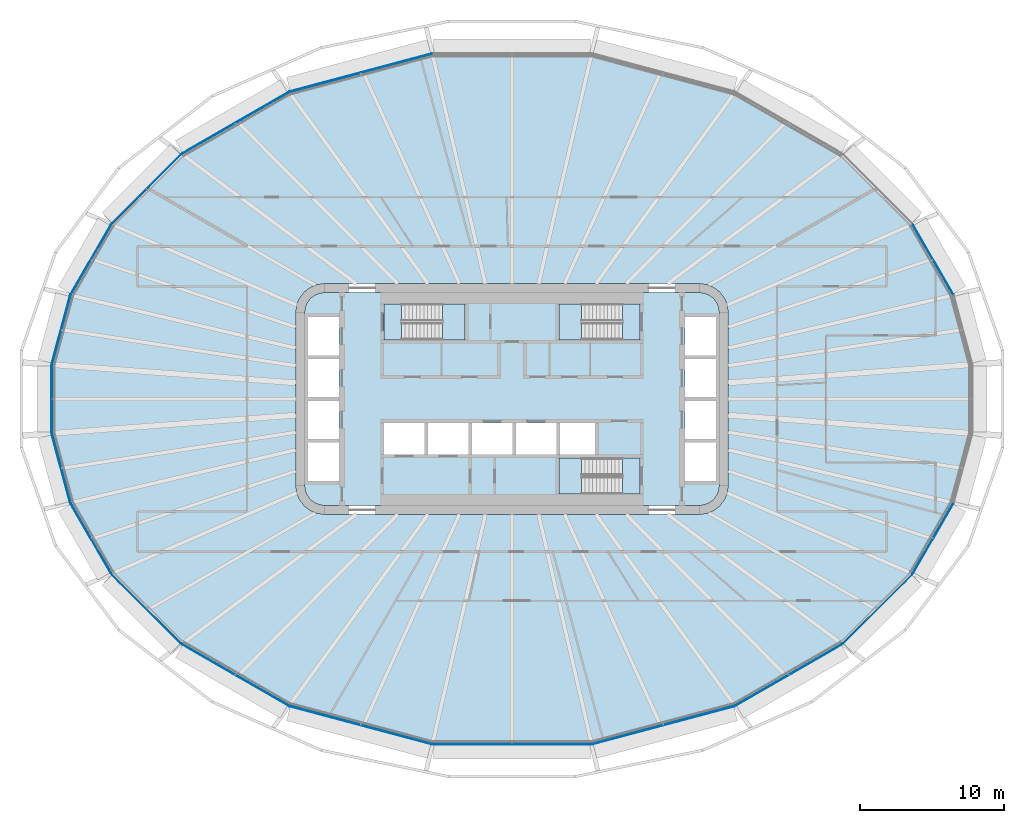
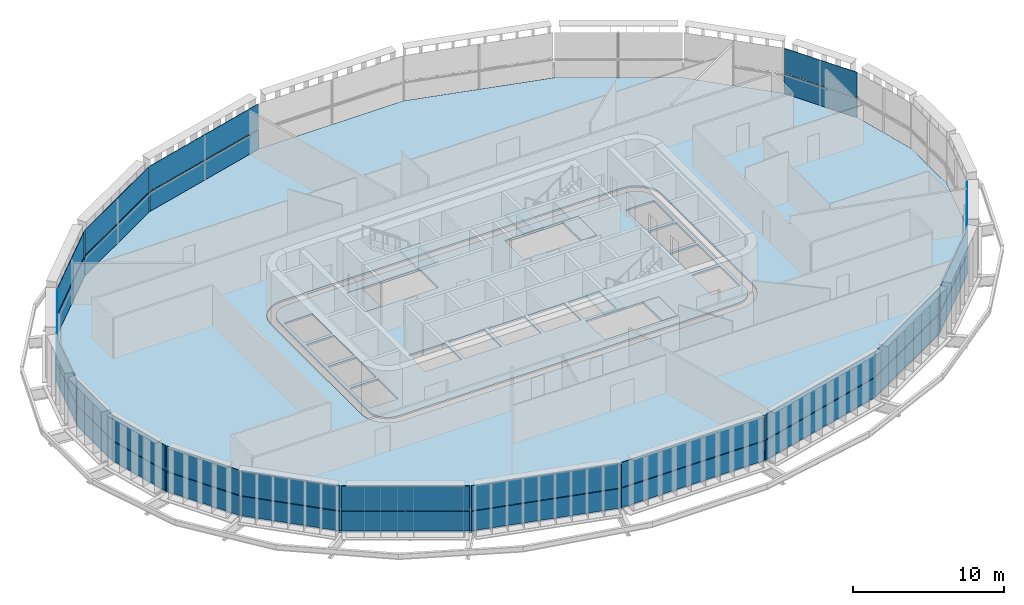
# One storey, part 13 of 25: 34 plates, 8 slabs, 20 elements without a shape of their own.
"""IFC4 building model written with IfcOpenShell, lengths in metres."""

import ifcopenshell
import ifcopenshell.guid

model = None  # the IFC model being written
_history = None  # IfcOwnerHistory: only IFC2X3 demands one
_inside = {}  # id of a spatial element -> (the spatial element, [elements in it])
_under = {}  # id of a project, library or spatial element -> (it, [spatial elements below it])
_declared = {}  # id of a project -> (the project, [libraries it declares])
_typed = {}  # id of a type object -> (the type object, [elements of that type])
_made_of = {}  # id of a material, layer set ... -> (it, [elements and type objects made of it])


def new_model(schema):
    """Start an empty IFC model of exactly this schema.

    Asked for "IFC4X3", IfcOpenShell would pick the latest addendum, in which some entities
    have other attributes; the version numbers below select the first issue.
    IFC2X3 requires an IfcOwnerHistory on every rooted entity: one is made here for all.
    """
    global model, _history
    if schema == "IFC4X3":
        model = ifcopenshell.file(schema_version=(4, 3, 0, 0))
    else:
        model = ifcopenshell.file(schema=schema)
    _inside.clear()
    _under.clear()
    _declared.clear()
    _typed.clear()
    _made_of.clear()
    _history = None
    if model.schema == "IFC2X3":
        org = make("IfcOrganization", Name="unknown")
        user = make(
            "IfcPersonAndOrganization",
            ThePerson=make("IfcPerson", FamilyName="unknown"),
            TheOrganization=org,
        )
        app = make(
            "IfcApplication",
            ApplicationDeveloper=org,
            Version="unknown",
            ApplicationFullName="unknown",
            ApplicationIdentifier="unknown",
        )
        _history = make(
            "IfcOwnerHistory",
            OwningUser=user,
            OwningApplication=app,
            ChangeAction="ADDED",
            CreationDate=0,
        )
    return model


def make(cls, **values):
    """One entity of the class cls with the attributes given. An attribute that is None is left unset."""
    return model.create_entity(
        cls, **{name: value for name, value in values.items() if value is not None}
    )


def rooted(cls, **values):
    """An entity with a GlobalId (a new one), such as an element, a storey or a relation."""
    return make(cls, GlobalId=ifcopenshell.guid.new(), OwnerHistory=_history, **values)


def si_unit(unit_type, name, prefix=None):
    """IfcSIUnit, for example si_unit("LENGTHUNIT", "METRE", prefix="MILLI")."""
    return make("IfcSIUnit", UnitType=unit_type, Prefix=prefix, Name=name)


def assignment(units):
    """IfcUnitAssignment: the units of a project."""
    return None if units is None else make("IfcUnitAssignment", Units=units)


def point(xyz):
    """IfcCartesianPoint."""
    return None if xyz is None else make("IfcCartesianPoint", Coordinates=xyz)


def direction(xyz):
    """IfcDirection."""
    return None if xyz is None else make("IfcDirection", DirectionRatios=xyz)


def frame(location, z_axis=None, x_axis=None):
    """IfcAxis2Placement3D, a coordinate frame: its origin and axes. An axis left out is left unset."""
    return make(
        "IfcAxis2Placement3D",
        Location=point(location),
        Axis=direction(z_axis),
        RefDirection=direction(x_axis),
    )


def origin():
    """The frame at (0, 0, 0) with its axes left unset."""
    return frame((0.0, 0.0, 0.0))


def place(relative_to, where):
    """IfcLocalPlacement: puts the frame where relative to a parent placement (None: the world)."""
    return make(
        "IfcLocalPlacement", PlacementRelTo=relative_to, RelativePlacement=where
    )


def context(
    kind, dimensions, precision=None, world=None, true_north=None, identifier=None
):
    """IfcGeometricRepresentationContext, for example the 3D "Model" context."""
    return make(
        "IfcGeometricRepresentationContext",
        ContextIdentifier=identifier,
        ContextType=kind,
        CoordinateSpaceDimension=dimensions,
        Precision=precision,
        WorldCoordinateSystem=world,
        TrueNorth=true_north,
    )


def subcontext(parent, identifier, kind, view, scale=None):
    """IfcGeometricRepresentationSubContext, for example "Body" below "Model"."""
    return make(
        "IfcGeometricRepresentationSubContext",
        ContextIdentifier=identifier,
        ContextType=kind,
        ParentContext=parent,
        TargetScale=scale,
        TargetView=view,
    )


def project(units=None, contexts=None):
    """IfcProject with its units and contexts."""
    return rooted(
        "IfcProject",
        Name="project",
        RepresentationContexts=contexts,
        UnitsInContext=assignment(units),
    )


def spatial(cls, under=None, at=None, **own):
    """A site, building, storey or space (cls), placed at a placement, below another one or the project."""
    s = rooted(cls, ObjectPlacement=at, **own)
    if under is not None:
        _under.setdefault(under.id(), (under, []))[1].append(s)
    return s


def polyline(points):
    """IfcPolyline through the points."""
    return make("IfcPolyline", Points=[point(p) for p in points])


def outline(outer, holes=None, kind="AREA"):
    """IfcArbitraryClosedProfileDef: a profile drawn as a closed curve; with holes, ...WithVoids."""
    if holes is None:
        return make("IfcArbitraryClosedProfileDef", ProfileType=kind, OuterCurve=outer)
    return make(
        "IfcArbitraryProfileDefWithVoids",
        ProfileType=kind,
        OuterCurve=outer,
        InnerCurves=holes,
    )


def extrude(swept, where, along, depth):
    """IfcExtrudedAreaSolid: the profile swept, set in the frame where, extruded along a direction by depth."""
    return make(
        "IfcExtrudedAreaSolid",
        SweptArea=swept,
        Position=where,
        ExtrudedDirection=direction(along),
        Depth=depth,
    )


def shape(context_of_items, identifier, shape_type, items):
    """IfcShapeRepresentation: the items that make up one representation, for example the "Body"."""
    return make(
        "IfcShapeRepresentation",
        ContextOfItems=context_of_items,
        RepresentationIdentifier=identifier,
        RepresentationType=shape_type,
        Items=items,
    )


def material(Name=None, Category=None):
    """IfcMaterial."""
    return make("IfcMaterial", Name=Name, Category=Category)


def layer(
    of_material, thickness, ventilated=None, Name=None, Category=None, Priority=None
):
    """IfcMaterialLayer: one layer of a wall or slab, of a material (None: an air gap)."""
    return make(
        "IfcMaterialLayer",
        Material=of_material,
        LayerThickness=thickness,
        IsVentilated=ventilated,
        Name=Name,
        Category=Category,
        Priority=Priority,
    )


def layer_set(layers, Name=None):
    """IfcMaterialLayerSet."""
    return make("IfcMaterialLayerSet", MaterialLayers=layers, LayerSetName=Name)


def made_of(thing, what):
    """Note that an element or type object is made of a material, layer set ...; save() writes the relation."""
    if what is not None:
        _made_of.setdefault(what.id(), (what, []))[1].append(thing)
    return thing


def type_object(cls, material=None, **own):
    """A type object (cls), such as IfcWallType, which elements share."""
    return made_of(rooted(cls, **own), material)


def element(
    cls,
    number,
    at=None,
    inside=None,
    cuts=None,
    type_object=None,
    material=None,
    context=None,
    identifier="Body",
    shape_type=None,
    held_by="IfcProductDefinitionShape",
    body=None,
    shapes=None,
    **own,
):
    """One element of the class cls, such as IfcWall. Its Tag is "e" and its number.

    at: its placement. inside: the storey or other place that contains it. cuts: it is an
    opening in that element (IfcRelVoidsElement). A single representation is given by context,
    identifier, shape_type and body (its items); several are given by shapes. held_by: the class
    of the entity that holds the representations. save() writes the other relations.
    """
    e = rooted(cls, Tag="e%d" % number, ObjectPlacement=at, **own)
    if body is not None:
        shapes = [shape(context, identifier, shape_type, body)]
    if shapes is not None:
        e.Representation = make(held_by, Representations=shapes)
    if inside is not None:
        _inside.setdefault(inside.id(), (inside, []))[1].append(e)
    if cuts is not None:
        rooted(
            "IfcRelVoidsElement", RelatingBuildingElement=cuts, RelatedOpeningElement=e
        )
    if type_object is not None:
        _typed.setdefault(type_object.id(), (type_object, []))[1].append(e)
    return made_of(e, material)


def aggregate(whole, parts):
    """IfcRelAggregates: a whole, such as a stair, and the parts it consists of."""
    return rooted("IfcRelAggregates", RelatingObject=whole, RelatedObjects=parts)


def save(model, path):
    """Write the relations noted so far, then the file.

    IfcRelAggregates (storeys below a building ...), IfcRelContainedInSpatialStructure (elements
    in a storey), IfcRelDefinesByType, IfcRelAssociatesMaterial and IfcRelDeclares: one each for
    every whole, place, type object, material and project.
    """
    for whole, parts in _under.values():
        aggregate(whole, parts)
    for where, things in _inside.values():
        rooted(
            "IfcRelContainedInSpatialStructure",
            RelatedElements=things,
            RelatingStructure=where,
        )
    for kind, things in _typed.values():
        rooted("IfcRelDefinesByType", RelatedObjects=things, RelatingType=kind)
    for what, things in _made_of.values():
        rooted("IfcRelAssociatesMaterial", RelatedObjects=things, RelatingMaterial=what)
    for by, libraries in _declared.values():
        rooted("IfcRelDeclares", RelatingContext=by, RelatedDefinitions=libraries)
    model.write(path)


model = new_model("IFC4")

# Units and contexts
model_context = context("Model", 3, precision=1e-05, world=origin(), true_north=direction((0.0, 1.0)))
body_context = subcontext(model_context, "Body", "Model", "MODEL_VIEW")
ifc_project = project(units=[si_unit("LENGTHUNIT", "METRE"), si_unit("AREAUNIT", "SQUARE_METRE"), si_unit("VOLUMEUNIT", "CUBIC_METRE"), si_unit("PLANEANGLEUNIT", "RADIAN"), si_unit("MASSUNIT", "GRAM", prefix="KILO")], contexts=[model_context])

# Site, building, storey
site_placement = place(None, origin())
site = spatial("IfcSite", under=ifc_project, at=site_placement, CompositionType="ELEMENT")
building_placement = place(site_placement, origin())
building = spatial("IfcBuilding", under=site, at=building_placement, Name="Sahrelin Media Tower", CompositionType="ELEMENT")
storey_placement = place(building_placement, frame((0.0, 0.0, 106.199951171875)))
storey = spatial("IfcBuildingStorey", under=building, at=storey_placement, Name="L20", CompositionType="ELEMENT", Elevation=106.199951171875)

# Slabs
ifc_material_1 = material(Name="Concrete C40/50", Category="concrete")
ifc_layer_1 = layer(ifc_material_1, 0.14990234375)
ifc_layer_set_1 = layer_set([ifc_layer_1], Name="Composite floor slab 150")
slab_type_1 = type_object("IfcSlabType", Name="Composite floor slab 150", PredefinedType="FLOOR", material=ifc_layer_set_1)
placement_1 = place(storey_placement, frame((0.0, 0.0, -0.14990234375)))
element("IfcSlab", 1, at=placement_1, inside=storey, type_object=slab_type_1, Name="Floor slab L20", PredefinedType="FLOOR", context=body_context, shape_type="SweptSolid", body=[
    extrude(outline(polyline([(31.92431640625, -2.384521484375), (31.92431640625, 2.384521484375), (30.63330078125, 7.20263671875), (27.79541015625, 12.117919921875), (22.919189453125, 16.994384765625), (15.475830078125, 21.291748046875), (5.5283203125, 23.95703125), (-5.5283203125, 23.95703125), (-15.475830078125, 21.291748046875), (-22.919189453125, 16.994384765625), (-27.79541015625, 12.117919921875), (-30.63330078125, 7.20263671875), (-31.92431640625, 2.384521484375), (-31.92431640625, -2.384521484375), (-30.63330078125, -7.20263671875), (-27.79541015625, -12.117919921875), (-22.919189453125, -16.994384765625), (-15.475830078125, -21.291748046875), (-5.5283203125, -23.95703125), (5.5283203125, -23.95703125), (15.475830078125, -21.291748046875), (22.919189453125, -16.994384765625), (27.79541015625, -12.117919921875), (30.63330078125, -7.20263671875), (31.92431640625, -2.384521484375)]), holes=[polyline([(14.931884765625, 6.517578125), (15.0, 6.0), (15.0, -6.0), (14.931884765625, -6.517578125), (14.732177734375, -7.0), (14.414306640625, -7.414306640625), (14.0, -7.732177734375), (13.517578125, -7.931884765625), (13.0, -8.0), (-13.0, -8.0), (-13.517578125, -7.931884765625), (-14.0, -7.732177734375), (-14.414306640625, -7.414306640625), (-14.732177734375, -7.0), (-14.931884765625, -6.517578125), (-15.0, -6.0), (-15.0, 6.0), (-14.931884765625, 6.517578125), (-14.732177734375, 7.0), (-14.414306640625, 7.414306640625), (-14.0, 7.732177734375), (-13.517578125, 7.931884765625), (-13.0, 8.0), (13.0, 8.0), (13.517578125, 7.931884765625), (14.0, 7.732177734375), (14.414306640625, 7.414306640625), (14.732177734375, 7.0), (14.931884765625, 6.517578125)])]), origin(), (0.0, 0.0, 1.0), 0.14990234375),
])
ifc_layer_2 = layer(ifc_material_1, 0.14990234375)
ifc_layer_set_2 = layer_set([ifc_layer_2], Name="Core floor slab 150")
slab_type_2 = type_object("IfcSlabType", Name="Core floor slab 150", PredefinedType="FLOOR", material=ifc_layer_set_2)
element("IfcSlab", 2, at=placement_1, inside=storey, type_object=slab_type_2, Name="Core floor", PredefinedType="FLOOR", context=body_context, shape_type="SweptSolid", body=[
    extrude(outline(polyline([(-14.347412109375, 6.361083984375), (-14.39990234375, 5.960693359375), (-14.39990234375, -5.960693359375), (-14.347412109375, -6.361083984375), (-14.2080078125, -6.697509765625), (-13.986328125, -6.986328125), (-13.697509765625, -7.2080078125), (-13.361083984375, -7.347412109375), (-12.960693359375, -7.39990234375), (12.960693359375, -7.39990234375), (13.361083984375, -7.347412109375), (13.697509765625, -7.2080078125), (13.986328125, -6.986328125), (14.2080078125, -6.697509765625), (14.347412109375, -6.361083984375), (14.39990234375, -5.960693359375), (14.39990234375, 5.960693359375), (14.347412109375, 6.361083984375), (14.2080078125, 6.697509765625), (13.986328125, 6.986328125), (13.697509765625, 7.2080078125), (13.361083984375, 7.347412109375), (12.960693359375, 7.39990234375), (-12.960693359375, 7.39990234375), (-13.361083984375, 7.347412109375), (-13.697509765625, 7.2080078125), (-13.986328125, 6.986328125), (-14.2080078125, 6.697509765625), (-14.347412109375, 6.361083984375)]), holes=[polyline([(-12.0, 3.02490234375), (-12.0, 5.675048828125), (-14.14990234375, 5.675048828125), (-14.14990234375, 3.02490234375), (-12.0, 3.02490234375)]), polyline([(-14.14990234375, 0.125), (-12.0, 0.125), (-12.0, 2.77490234375), (-14.14990234375, 2.77490234375), (-14.14990234375, 0.125)]), polyline([(-14.14990234375, -0.125), (-14.14990234375, -2.77490234375), (-12.0, -2.77490234375), (-12.0, -0.125), (-14.14990234375, -0.125)]), polyline([(-12.0, -3.02490234375), (-14.14990234375, -3.02490234375), (-14.14990234375, -5.675048828125), (-12.0, -5.675048828125), (-12.0, -3.02490234375)]), polyline([(14.14990234375, 3.02490234375), (14.14990234375, 5.675048828125), (12.0, 5.675048828125), (12.0, 3.02490234375), (14.14990234375, 3.02490234375)]), polyline([(12.0, 0.125), (14.14990234375, 0.125), (14.14990234375, 2.77490234375), (12.0, 2.77490234375), (12.0, 0.125)]), polyline([(12.0, -0.125), (12.0, -2.77490234375), (14.14990234375, -2.77490234375), (14.14990234375, -0.125), (12.0, -0.125)]), polyline([(14.14990234375, -3.02490234375), (12.0, -3.02490234375), (12.0, -5.675048828125), (14.14990234375, -5.675048828125), (14.14990234375, -3.02490234375)]), polyline([(-6.074951171875, -3.85009765625), (-6.074951171875, -1.64990234375), (-8.875, -1.64990234375), (-8.875, -3.85009765625), (-6.074951171875, -3.85009765625)]), polyline([(-5.824951171875, -3.85009765625), (-3.02490234375, -3.85009765625), (-3.02490234375, -1.64990234375), (-5.824951171875, -1.64990234375), (-5.824951171875, -3.85009765625)]), polyline([(-2.77490234375, -1.64990234375), (-2.77490234375, -3.85009765625), (0.02490234375, -3.85009765625), (0.02490234375, -1.64990234375), (-2.77490234375, -1.64990234375)]), polyline([(3.074951171875, -1.64990234375), (0.27490234375, -1.64990234375), (0.27490234375, -3.85009765625), (3.074951171875, -3.85009765625), (3.074951171875, -1.64990234375)]), polyline([(5.77490234375, -3.85009765625), (5.77490234375, -1.64990234375), (3.324951171875, -1.64990234375), (3.324951171875, -3.85009765625), (5.77490234375, -3.85009765625)]), polyline([(-8.875, 6.60009765625), (-8.875, 4.10009765625), (-3.27490234375, 4.10009765625), (-3.27490234375, 6.60009765625), (-8.875, 6.60009765625)]), polyline([(3.27490234375, 4.10009765625), (8.875, 4.10009765625), (8.875, 6.60009765625), (3.27490234375, 6.60009765625), (3.27490234375, 4.10009765625)]), polyline([(3.27490234375, -4.10009765625), (3.27490234375, -6.60009765625), (8.875, -6.60009765625), (8.875, -4.10009765625), (3.27490234375, -4.10009765625)])]), origin(), (0.0, 0.0, 1.0), 0.14990234375),
])

# Curtain wall, plate
ifc_material_2 = material(Name="Champagne anodised aluminium 6063-T6", Category="aluminium")
ifc_layer_3 = layer(ifc_material_2, 0.14990234375)
ifc_layer_set_3 = layer_set([ifc_layer_3], Name="Tower ribbon curtain wall")
curtain_wall_type = type_object("IfcCurtainWallType", Name="Tower ribbon curtain wall", PredefinedType="NOTDEFINED", material=ifc_layer_set_3)
curtain_wall_1_placement = place(storey_placement, frame((29.231689453125, 9.67041015625, 0.0), z_axis=(0.0, 0.0, 1.0), x_axis=(1.0, 0.0, 0.0)))
curtain_wall_1 = element("IfcCurtainWall", 3, at=curtain_wall_1_placement, inside=storey, type_object=curtain_wall_type, Name="L20:CW:L20-02", PredefinedType="NOTDEFINED")
ifc_material_3 = material(Name="Clear low-iron glazing", Category="glass")
ifc_layer_4 = layer(ifc_material_3, 0.0400390625)
ifc_layer_set_4 = layer_set([ifc_layer_4], Name="Glazing panel 40 mm CW1")
plate_type_1 = type_object("IfcPlateType", Name="Glazing panel 40 mm CW1", PredefinedType="CURTAIN_PANEL", material=ifc_layer_set_4)
plate_1_placement = place(storey_placement, frame((30.644287109375, 7.263671875, 1.630126953125), z_axis=(0.866021677438, 0.500006454166, 0.0), x_axis=(-0.500006454166, 0.866021677438, 0.0)))
plate_1 = element("IfcPlate", 4, at=plate_1_placement, type_object=plate_type_1, Name="L20:CWP2:L20-02", PredefinedType="CURTAIN_PANEL", context=body_context, shape_type="SweptSolid", body=[
    extrude(outline(polyline([(0.0, 0.0), (5.5810546875, 0.0), (5.5810546875, 2.0185546875), (0.0, 2.0185546875), (0.0, 0.0)])), origin(), (0.0, 0.0, -1.0), 0.0400390625),
])

curtain_wall_2_placement = place(storey_placement, frame((-10.507080078125, 22.643798828125, 0.0), z_axis=(0.0, 0.0, 1.0), x_axis=(1.0, 0.0, 0.0)))
curtain_wall_2 = element("IfcCurtainWall", 5, at=curtain_wall_2_placement, inside=storey, type_object=curtain_wall_type, Name="L20:CW:L20-07", PredefinedType="NOTDEFINED")
plate_2_placement = place(storey_placement, frame((-5.58447265625, 23.9833984375, 1.630126953125), z_axis=(-0.258816614048, 0.965926477685, 0.0), x_axis=(-0.965926477685, -0.258816614048, 0.0)))
plate_2 = element("IfcPlate", 6, at=plate_2_placement, type_object=plate_type_1, Name="L20:CWP2:L20-07", PredefinedType="CURTAIN_PANEL", context=body_context, shape_type="SweptSolid", body=[
    extrude(outline(polyline([(0.0, 0.0), (10.20361328125, 0.0), (10.20361328125, 2.0185546875), (0.0, 2.0185546875), (0.0, 0.0)])), origin(), (0.0, 0.0, -1.0), 0.0400390625),
])

curtain_wall_3_placement = place(storey_placement, frame((-19.20751953125, 19.160400390625, 0.0), z_axis=(0.0, 0.0, 1.0), x_axis=(1.0, 0.0, 0.0)))
curtain_wall_3 = element("IfcCurtainWall", 7, at=curtain_wall_3_placement, inside=storey, type_object=curtain_wall_type, Name="L20:CW:L20-08", PredefinedType="NOTDEFINED")
plate_3_placement = place(storey_placement, frame((-15.536865234375, 21.302490234375, 1.630126953125), z_axis=(-0.499994284652, 0.866028703517, 0.0), x_axis=(-0.866028703517, -0.499994284652, 0.0)))
plate_3 = element("IfcPlate", 8, at=plate_3_placement, type_object=plate_type_1, Name="L20:CWP2:L20-08", PredefinedType="CURTAIN_PANEL", context=body_context, shape_type="SweptSolid", body=[
    extrude(outline(polyline([(0.0, 0.0), (8.5, 0.0), (8.5, 2.0185546875), (0.0, 2.0185546875), (0.0, 0.0)])), origin(), (0.0, 0.0, -1.0), 0.0400390625),
])

curtain_wall_4_placement = place(storey_placement, frame((-25.371337890625, 14.5703125, 0.0), z_axis=(0.0, 0.0, 1.0), x_axis=(1.0, 0.0, 0.0)))
curtain_wall_4 = element("IfcCurtainWall", 9, at=curtain_wall_4_placement, inside=storey, type_object=curtain_wall_type, Name="L20:CW:L20-09", PredefinedType="NOTDEFINED")
plate_4_placement = place(storey_placement, frame((-22.98095703125, 16.989013671875, 1.630126953125), z_axis=(-0.707106781187, 0.707106781187, 0.0), x_axis=(-0.707106781187, -0.707106781187, 0.0)))
plate_4 = element("IfcPlate", 10, at=plate_4_placement, type_object=plate_type_1, Name="L20:CWP2:L20-09", PredefinedType="CURTAIN_PANEL", context=body_context, shape_type="SweptSolid", body=[
    extrude(outline(polyline([(0.0, 0.0), (6.801513671875, 0.0), (6.801513671875, 2.0185546875), (0.0, 2.0185546875), (0.0, 0.0)])), origin(), (0.0, 0.0, -1.0), 0.0400390625),
])

curtain_wall_5_placement = place(storey_placement, frame((-29.231689453125, 9.67041015625, 0.0), z_axis=(0.0, 0.0, 1.0), x_axis=(1.0, 0.0, 0.0)))
curtain_wall_5 = element("IfcCurtainWall", 11, at=curtain_wall_5_placement, inside=storey, type_object=curtain_wall_type, Name="L20:CW:L20-10", PredefinedType="NOTDEFINED")
plate_5_placement = place(storey_placement, frame((-27.853759765625, 12.096923828125, 1.630126953125), z_axis=(-0.866021677438, 0.500006454166, 0.0), x_axis=(-0.500006454166, -0.866021677438, 0.0)))
plate_5 = element("IfcPlate", 12, at=plate_5_placement, type_object=plate_type_1, Name="L20:CWP2:L20-10", PredefinedType="CURTAIN_PANEL", context=body_context, shape_type="SweptSolid", body=[
    extrude(outline(polyline([(0.0, 0.0), (5.5810546875, 0.0), (5.5810546875, 2.0185546875), (0.0, 2.0185546875), (0.0, 0.0)])), origin(), (0.0, 0.0, -1.0), 0.0400390625),
])

curtain_wall_6_placement = place(storey_placement, frame((-31.298095703125, 4.798583984375, 0.0), z_axis=(0.0, 0.0, 1.0), x_axis=(1.0, 0.0, 0.0)))
curtain_wall_6 = element("IfcCurtainWall", 13, at=curtain_wall_6_placement, inside=storey, type_object=curtain_wall_type, Name="L20:CW:L20-11", PredefinedType="NOTDEFINED")
plate_6_placement = place(storey_placement, frame((-30.684326171875, 7.167236328125, 1.630126953125), z_axis=(-0.965932017326, 0.258795938733, 0.0), x_axis=(-0.258795938733, -0.965932017326, 0.0)))
plate_6 = element("IfcPlate", 14, at=plate_6_placement, type_object=plate_type_1, Name="L20:CWP2:L20-11", PredefinedType="CURTAIN_PANEL", context=body_context, shape_type="SweptSolid", body=[
    extrude(outline(polyline([(0.0, 0.0), (4.893310546875, 0.0), (4.893310546875, 2.0185546875), (0.0, 2.0185546875), (0.0, 0.0)])), origin(), (0.0, 0.0, -1.0), 0.0400390625),
])

curtain_wall_7_placement = place(storey_placement, frame((-31.9443359375, 0.0, 0.0), z_axis=(0.0, 0.0, 1.0), x_axis=(1.0, 0.0, 0.0)))
curtain_wall_7 = element("IfcCurtainWall", 15, at=curtain_wall_7_placement, inside=storey, type_object=curtain_wall_type, Name="L20:CW:L20-12", PredefinedType="NOTDEFINED")
plate_7_placement = place(storey_placement, frame((-31.96435546875, 2.337158203125, 1.630126953125), z_axis=(-1.0, 0.0, 0.0), x_axis=(0.0, -1.0, 0.0)))
plate_7 = element("IfcPlate", 16, at=plate_7_placement, type_object=plate_type_1, Name="L20:CWP2:L20-12", PredefinedType="CURTAIN_PANEL", context=body_context, shape_type="SweptSolid", body=[
    extrude(outline(polyline([(0.0, 0.0), (4.67431640625, 0.0), (4.67431640625, 2.0185546875), (0.0, 2.0185546875), (0.0, 0.0)])), origin(), (0.0, 0.0, -1.0), 0.0400390625),
])

curtain_wall_8_placement = place(storey_placement, frame((-31.298095703125, -4.798828125, 0.0), z_axis=(0.0, 0.0, 1.0), x_axis=(1.0, 0.0, 0.0)))
curtain_wall_8 = element("IfcCurtainWall", 17, at=curtain_wall_8_placement, inside=storey, type_object=curtain_wall_type, Name="L20:CW:L20-13", PredefinedType="NOTDEFINED")
plate_8_placement = place(storey_placement, frame((-31.95068359375, -2.440673828125, 1.630126953125), z_axis=(-0.965932017326, -0.258795938733, 0.0), x_axis=(0.258795938733, -0.965932017326, 0.0)))
plate_8 = element("IfcPlate", 18, at=plate_8_placement, type_object=plate_type_1, Name="L20:CWP2:L20-13", PredefinedType="CURTAIN_PANEL", context=body_context, shape_type="SweptSolid", body=[
    extrude(outline(polyline([(0.0, 0.0), (4.893310546875, 0.0), (4.893310546875, 2.0185546875), (0.0, 2.0185546875), (0.0, 0.0)])), origin(), (0.0, 0.0, -1.0), 0.0400390625),
])

curtain_wall_9_placement = place(storey_placement, frame((-29.231689453125, -9.67041015625, 0.0), z_axis=(0.0, 0.0, 1.0), x_axis=(1.0, 0.0, 0.0)))
curtain_wall_9 = element("IfcCurtainWall", 19, at=curtain_wall_9_placement, inside=storey, type_object=curtain_wall_type, Name="L20:CW:L20-14", PredefinedType="NOTDEFINED")
plate_9_placement = place(storey_placement, frame((-30.644287109375, -7.263671875, 1.630126953125), z_axis=(-0.866021677438, -0.500006454166, 0.0), x_axis=(0.500006454166, -0.866021677438, 0.0)))
plate_9 = element("IfcPlate", 20, at=plate_9_placement, type_object=plate_type_1, Name="L20:CWP2:L20-14", PredefinedType="CURTAIN_PANEL", context=body_context, shape_type="SweptSolid", body=[
    extrude(outline(polyline([(0.0, 0.0), (5.5810546875, 0.0), (5.5810546875, 2.0185546875), (0.0, 2.0185546875), (0.0, 0.0)])), origin(), (0.0, 0.0, -1.0), 0.0400390625),
])

curtain_wall_10_placement = place(storey_placement, frame((-25.371337890625, -14.5703125, 0.0), z_axis=(0.0, 0.0, 1.0), x_axis=(1.0, 0.0, 0.0)))
curtain_wall_10 = element("IfcCurtainWall", 21, at=curtain_wall_10_placement, inside=storey, type_object=curtain_wall_type, Name="L20:CW:L20-15", PredefinedType="NOTDEFINED")
plate_10_placement = place(storey_placement, frame((-27.790283203125, -12.1796875, 1.630126953125), z_axis=(-0.707106781187, -0.707106781187, 0.0), x_axis=(0.707106781187, -0.707106781187, 0.0)))
plate_10 = element("IfcPlate", 22, at=plate_10_placement, type_object=plate_type_1, Name="L20:CWP2:L20-15", PredefinedType="CURTAIN_PANEL", context=body_context, shape_type="SweptSolid", body=[
    extrude(outline(polyline([(0.0, 0.0), (6.801513671875, 0.0), (6.801513671875, 2.0185546875), (0.0, 2.0185546875), (0.0, 0.0)])), origin(), (0.0, 0.0, -1.0), 0.0400390625),
])

curtain_wall_11_placement = place(storey_placement, frame((-19.20751953125, -19.160400390625, 0.0), z_axis=(0.0, 0.0, 1.0), x_axis=(1.0, 0.0, 0.0)))
curtain_wall_11 = element("IfcCurtainWall", 23, at=curtain_wall_11_placement, inside=storey, type_object=curtain_wall_type, Name="L20:CW:L20-16", PredefinedType="NOTDEFINED")
plate_11_placement = place(storey_placement, frame((-22.898193359375, -17.052490234375, 1.630126953125), z_axis=(-0.499994284652, -0.866028703517, 0.0), x_axis=(0.866028703517, -0.499994284652, 0.0)))
plate_11 = element("IfcPlate", 24, at=plate_11_placement, type_object=plate_type_1, Name="L20:CWP2:L20-16", PredefinedType="CURTAIN_PANEL", context=body_context, shape_type="SweptSolid", body=[
    extrude(outline(polyline([(0.0, 0.0), (8.5, 0.0), (8.5, 2.0185546875), (0.0, 2.0185546875), (0.0, 0.0)])), origin(), (0.0, 0.0, -1.0), 0.0400390625),
])

curtain_wall_12_placement = place(storey_placement, frame((-10.50732421875, -22.643798828125, 0.0), z_axis=(0.0, 0.0, 1.0), x_axis=(1.0, 0.0, 0.0)))
curtain_wall_12 = element("IfcCurtainWall", 25, at=curtain_wall_12_placement, inside=storey, type_object=curtain_wall_type, Name="L20:CW:L20-17", PredefinedType="NOTDEFINED")
plate_12_placement = place(storey_placement, frame((-15.4404296875, -21.342529296875, 1.630126953125), z_axis=(-0.258816614048, -0.965926477685, 0.0), x_axis=(0.965926477685, -0.258816614048, 0.0)))
plate_12 = element("IfcPlate", 26, at=plate_12_placement, type_object=plate_type_1, Name="L20:CWP2:L20-17", PredefinedType="CURTAIN_PANEL", context=body_context, shape_type="SweptSolid", body=[
    extrude(outline(polyline([(0.0, 0.0), (10.20361328125, 0.0), (10.20361328125, 2.0185546875), (0.0, 2.0185546875), (0.0, 0.0)])), origin(), (0.0, 0.0, -1.0), 0.0400390625),
])

curtain_wall_13_placement = place(storey_placement, frame((0.0, -23.97705078125, 0.0), z_axis=(0.0, 0.0, 1.0), x_axis=(1.0, 0.0, 0.0)))
curtain_wall_13 = element("IfcCurtainWall", 27, at=curtain_wall_13_placement, inside=storey, type_object=curtain_wall_type, Name="L20:CW:L20-18", PredefinedType="NOTDEFINED")
plate_13_placement = place(storey_placement, frame((-5.48095703125, -23.9970703125, 1.630126953125), z_axis=(0.0, -1.0, 0.0), x_axis=(1.0, 0.0, 0.0)))
plate_13 = element("IfcPlate", 28, at=plate_13_placement, type_object=plate_type_1, Name="L20:CWP2:L20-18", PredefinedType="CURTAIN_PANEL", context=body_context, shape_type="SweptSolid", body=[
    extrude(outline(polyline([(0.0, 0.0), (10.9619140625, 0.0), (10.9619140625, 2.0185546875), (0.0, 2.0185546875), (0.0, 0.0)])), origin(), (0.0, 0.0, -1.0), 0.0400390625),
])

curtain_wall_14_placement = place(storey_placement, frame((10.507080078125, -22.643798828125, 0.0), z_axis=(0.0, 0.0, 1.0), x_axis=(1.0, 0.0, 0.0)))
curtain_wall_14 = element("IfcCurtainWall", 29, at=curtain_wall_14_placement, inside=storey, type_object=curtain_wall_type, Name="L20:CW:L20-19", PredefinedType="NOTDEFINED")
plate_14_placement = place(storey_placement, frame((5.58447265625, -23.9833984375, 1.630126953125), z_axis=(0.258816614048, -0.965926477685, 0.0), x_axis=(0.965926477685, 0.258816614048, 0.0)))
plate_14 = element("IfcPlate", 30, at=plate_14_placement, type_object=plate_type_1, Name="L20:CWP2:L20-19", PredefinedType="CURTAIN_PANEL", context=body_context, shape_type="SweptSolid", body=[
    extrude(outline(polyline([(0.0, 0.0), (10.20361328125, 0.0), (10.20361328125, 2.0185546875), (0.0, 2.0185546875), (0.0, 0.0)])), origin(), (0.0, 0.0, -1.0), 0.0400390625),
])

curtain_wall_15_placement = place(storey_placement, frame((19.20751953125, -19.160400390625, 0.0), z_axis=(0.0, 0.0, 1.0), x_axis=(1.0, 0.0, 0.0)))
curtain_wall_15 = element("IfcCurtainWall", 31, at=curtain_wall_15_placement, inside=storey, type_object=curtain_wall_type, Name="L20:CW:L20-20", PredefinedType="NOTDEFINED")
plate_15_placement = place(storey_placement, frame((15.536865234375, -21.302490234375, 1.630126953125), z_axis=(0.499994284652, -0.866028703517, 0.0), x_axis=(0.866028703517, 0.499994284652, 0.0)))
plate_15 = element("IfcPlate", 32, at=plate_15_placement, type_object=plate_type_1, Name="L20:CWP2:L20-20", PredefinedType="CURTAIN_PANEL", context=body_context, shape_type="SweptSolid", body=[
    extrude(outline(polyline([(0.0, 0.0), (8.5, 0.0), (8.5, 2.0185546875), (0.0, 2.0185546875), (0.0, 0.0)])), origin(), (0.0, 0.0, -1.0), 0.0400390625),
])

curtain_wall_16_placement = place(storey_placement, frame((25.371337890625, -14.5703125, 0.0), z_axis=(0.0, 0.0, 1.0), x_axis=(1.0, 0.0, 0.0)))
curtain_wall_16 = element("IfcCurtainWall", 33, at=curtain_wall_16_placement, inside=storey, type_object=curtain_wall_type, Name="L20:CW:L20-21", PredefinedType="NOTDEFINED")
plate_16_placement = place(storey_placement, frame((22.98095703125, -16.989013671875, 1.630126953125), z_axis=(0.707106781187, -0.707106781187, 0.0), x_axis=(0.707106781187, 0.707106781187, 0.0)))
plate_16 = element("IfcPlate", 34, at=plate_16_placement, type_object=plate_type_1, Name="L20:CWP2:L20-21", PredefinedType="CURTAIN_PANEL", context=body_context, shape_type="SweptSolid", body=[
    extrude(outline(polyline([(0.0, 0.0), (6.801513671875, 0.0), (6.801513671875, 2.0185546875), (0.0, 2.0185546875), (0.0, 0.0)])), origin(), (0.0, 0.0, -1.0), 0.0400390625),
])

curtain_wall_17_placement = place(storey_placement, frame((29.231689453125, -9.67041015625, 0.0), z_axis=(0.0, 0.0, 1.0), x_axis=(1.0, 0.0, 0.0)))
curtain_wall_17 = element("IfcCurtainWall", 35, at=curtain_wall_17_placement, inside=storey, type_object=curtain_wall_type, Name="L20:CW:L20-22", PredefinedType="NOTDEFINED")
plate_17_placement = place(storey_placement, frame((27.853759765625, -12.096923828125, 1.630126953125), z_axis=(0.866021677438, -0.500006454166, 0.0), x_axis=(0.500006454166, 0.866021677438, 0.0)))
plate_17 = element("IfcPlate", 36, at=plate_17_placement, type_object=plate_type_1, Name="L20:CWP2:L20-22", PredefinedType="CURTAIN_PANEL", context=body_context, shape_type="SweptSolid", body=[
    extrude(outline(polyline([(0.0, 0.0), (5.5810546875, 0.0), (5.5810546875, 2.0185546875), (0.0, 2.0185546875), (0.0, 0.0)])), origin(), (0.0, 0.0, -1.0), 0.0400390625),
])

# Plate
ifc_material_4 = material(Name="Insulated spandrel panel")
ifc_layer_5 = layer(ifc_material_4, 0.06005859375)
ifc_layer_set_5 = layer_set([ifc_layer_5], Name="Spandrel panel 60 mm CW1")
plate_type_2 = type_object("IfcPlateType", Name="Spandrel panel 60 mm CW1", PredefinedType="SHEET", material=ifc_layer_set_5)
plate_18_placement = place(storey_placement, frame((30.644287109375, 7.263671875, 0.0), z_axis=(0.866021677438, 0.500006454166, 0.0), x_axis=(-0.500006454166, 0.866021677438, 0.0)))
plate_18 = element("IfcPlate", 37, at=plate_18_placement, type_object=plate_type_2, Name="L20:CWP1:L20-02", PredefinedType="SHEET", context=body_context, shape_type="SweptSolid", body=[
    extrude(outline(polyline([(0.0, 0.0), (5.5810546875, 0.0), (5.5810546875, 1.570068359375), (0.0, 1.570068359375), (0.0, 0.0)])), origin(), (0.0, 0.0, -1.0), 0.06005859375),
])

aggregate(curtain_wall_1, [plate_18, plate_1])

plate_19_placement = place(storey_placement, frame((-5.58447265625, 23.9833984375, 0.0), z_axis=(-0.258816614048, 0.965926477685, 0.0), x_axis=(-0.965926477685, -0.258816614048, 0.0)))
plate_19 = element("IfcPlate", 38, at=plate_19_placement, type_object=plate_type_2, Name="L20:CWP1:L20-07", PredefinedType="SHEET", context=body_context, shape_type="SweptSolid", body=[
    extrude(outline(polyline([(0.0, 0.0), (10.20361328125, 0.0), (10.20361328125, 1.570068359375), (0.0, 1.570068359375), (0.0, 0.0)])), origin(), (0.0, 0.0, -1.0), 0.06005859375),
])

aggregate(curtain_wall_2, [plate_19, plate_2])

plate_20_placement = place(storey_placement, frame((-15.536865234375, 21.302490234375, 0.0), z_axis=(-0.499994284652, 0.866028703517, 0.0), x_axis=(-0.866028703517, -0.499994284652, 0.0)))
plate_20 = element("IfcPlate", 39, at=plate_20_placement, type_object=plate_type_2, Name="L20:CWP1:L20-08", PredefinedType="SHEET", context=body_context, shape_type="SweptSolid", body=[
    extrude(outline(polyline([(0.0, 0.0), (8.5, 0.0), (8.5, 1.570068359375), (0.0, 1.570068359375), (0.0, 0.0)])), origin(), (0.0, 0.0, -1.0), 0.06005859375),
])

aggregate(curtain_wall_3, [plate_20, plate_3])

plate_21_placement = place(storey_placement, frame((-22.98095703125, 16.989013671875, 0.0), z_axis=(-0.707106781187, 0.707106781187, 0.0), x_axis=(-0.707106781187, -0.707106781187, 0.0)))
plate_21 = element("IfcPlate", 40, at=plate_21_placement, type_object=plate_type_2, Name="L20:CWP1:L20-09", PredefinedType="SHEET", context=body_context, shape_type="SweptSolid", body=[
    extrude(outline(polyline([(0.0, 0.0), (6.801513671875, 0.0), (6.801513671875, 1.570068359375), (0.0, 1.570068359375), (0.0, 0.0)])), origin(), (0.0, 0.0, -1.0), 0.06005859375),
])

aggregate(curtain_wall_4, [plate_21, plate_4])

plate_22_placement = place(storey_placement, frame((-27.853759765625, 12.096923828125, 0.0), z_axis=(-0.866021677438, 0.500006454166, 0.0), x_axis=(-0.500006454166, -0.866021677438, 0.0)))
plate_22 = element("IfcPlate", 41, at=plate_22_placement, type_object=plate_type_2, Name="L20:CWP1:L20-10", PredefinedType="SHEET", context=body_context, shape_type="SweptSolid", body=[
    extrude(outline(polyline([(0.0, 0.0), (5.5810546875, 0.0), (5.5810546875, 1.570068359375), (0.0, 1.570068359375), (0.0, 0.0)])), origin(), (0.0, 0.0, -1.0), 0.06005859375),
])

aggregate(curtain_wall_5, [plate_22, plate_5])

plate_23_placement = place(storey_placement, frame((-30.684326171875, 7.167236328125, 0.0), z_axis=(-0.965932017326, 0.258795938733, 0.0), x_axis=(-0.258795938733, -0.965932017326, 0.0)))
plate_23 = element("IfcPlate", 42, at=plate_23_placement, type_object=plate_type_2, Name="L20:CWP1:L20-11", PredefinedType="SHEET", context=body_context, shape_type="SweptSolid", body=[
    extrude(outline(polyline([(0.0, 0.0), (4.893310546875, 0.0), (4.893310546875, 1.570068359375), (0.0, 1.570068359375), (0.0, 0.0)])), origin(), (0.0, 0.0, -1.0), 0.06005859375),
])

aggregate(curtain_wall_6, [plate_23, plate_6])

plate_24_placement = place(storey_placement, frame((-31.96435546875, 2.337158203125, 0.0), z_axis=(-1.0, 0.0, 0.0), x_axis=(0.0, -1.0, 0.0)))
plate_24 = element("IfcPlate", 43, at=plate_24_placement, type_object=plate_type_2, Name="L20:CWP1:L20-12", PredefinedType="SHEET", context=body_context, shape_type="SweptSolid", body=[
    extrude(outline(polyline([(0.0, 0.0), (4.67431640625, 0.0), (4.67431640625, 1.570068359375), (0.0, 1.570068359375), (0.0, 0.0)])), origin(), (0.0, 0.0, -1.0), 0.06005859375),
])

aggregate(curtain_wall_7, [plate_24, plate_7])

plate_25_placement = place(storey_placement, frame((-31.95068359375, -2.440673828125, 0.0), z_axis=(-0.965932017326, -0.258795938733, 0.0), x_axis=(0.258795938733, -0.965932017326, 0.0)))
plate_25 = element("IfcPlate", 44, at=plate_25_placement, type_object=plate_type_2, Name="L20:CWP1:L20-13", PredefinedType="SHEET", context=body_context, shape_type="SweptSolid", body=[
    extrude(outline(polyline([(0.0, 0.0), (4.893310546875, 0.0), (4.893310546875, 1.570068359375), (0.0, 1.570068359375), (0.0, 0.0)])), origin(), (0.0, 0.0, -1.0), 0.06005859375),
])

aggregate(curtain_wall_8, [plate_25, plate_8])

plate_26_placement = place(storey_placement, frame((-30.644287109375, -7.263671875, 0.0), z_axis=(-0.866021677438, -0.500006454166, 0.0), x_axis=(0.500006454166, -0.866021677438, 0.0)))
plate_26 = element("IfcPlate", 45, at=plate_26_placement, type_object=plate_type_2, Name="L20:CWP1:L20-14", PredefinedType="SHEET", context=body_context, shape_type="SweptSolid", body=[
    extrude(outline(polyline([(0.0, 0.0), (5.5810546875, 0.0), (5.5810546875, 1.570068359375), (0.0, 1.570068359375), (0.0, 0.0)])), origin(), (0.0, 0.0, -1.0), 0.06005859375),
])

aggregate(curtain_wall_9, [plate_26, plate_9])

plate_27_placement = place(storey_placement, frame((-27.790283203125, -12.1796875, 0.0), z_axis=(-0.707106781187, -0.707106781187, 0.0), x_axis=(0.707106781187, -0.707106781187, 0.0)))
plate_27 = element("IfcPlate", 46, at=plate_27_placement, type_object=plate_type_2, Name="L20:CWP1:L20-15", PredefinedType="SHEET", context=body_context, shape_type="SweptSolid", body=[
    extrude(outline(polyline([(0.0, 0.0), (6.801513671875, 0.0), (6.801513671875, 1.570068359375), (0.0, 1.570068359375), (0.0, 0.0)])), origin(), (0.0, 0.0, -1.0), 0.06005859375),
])

aggregate(curtain_wall_10, [plate_27, plate_10])

plate_28_placement = place(storey_placement, frame((-22.898193359375, -17.052490234375, 0.0), z_axis=(-0.499994284652, -0.866028703517, 0.0), x_axis=(0.866028703517, -0.499994284652, 0.0)))
plate_28 = element("IfcPlate", 47, at=plate_28_placement, type_object=plate_type_2, Name="L20:CWP1:L20-16", PredefinedType="SHEET", context=body_context, shape_type="SweptSolid", body=[
    extrude(outline(polyline([(0.0, 0.0), (8.5, 0.0), (8.5, 1.570068359375), (0.0, 1.570068359375), (0.0, 0.0)])), origin(), (0.0, 0.0, -1.0), 0.06005859375),
])

aggregate(curtain_wall_11, [plate_28, plate_11])

plate_29_placement = place(storey_placement, frame((-15.4404296875, -21.342529296875, 0.0), z_axis=(-0.258816614048, -0.965926477685, 0.0), x_axis=(0.965926477685, -0.258816614048, 0.0)))
plate_29 = element("IfcPlate", 48, at=plate_29_placement, type_object=plate_type_2, Name="L20:CWP1:L20-17", PredefinedType="SHEET", context=body_context, shape_type="SweptSolid", body=[
    extrude(outline(polyline([(0.0, 0.0), (10.20361328125, 0.0), (10.20361328125, 1.570068359375), (0.0, 1.570068359375), (0.0, 0.0)])), origin(), (0.0, 0.0, -1.0), 0.06005859375),
])

aggregate(curtain_wall_12, [plate_29, plate_12])

plate_30_placement = place(storey_placement, frame((-5.48095703125, -23.9970703125, 0.0), z_axis=(0.0, -1.0, 0.0), x_axis=(1.0, 0.0, 0.0)))
plate_30 = element("IfcPlate", 49, at=plate_30_placement, type_object=plate_type_2, Name="L20:CWP1:L20-18", PredefinedType="SHEET", context=body_context, shape_type="SweptSolid", body=[
    extrude(outline(polyline([(0.0, 0.0), (10.9619140625, 0.0), (10.9619140625, 1.570068359375), (0.0, 1.570068359375), (0.0, 0.0)])), origin(), (0.0, 0.0, -1.0), 0.06005859375),
])

aggregate(curtain_wall_13, [plate_30, plate_13])

plate_31_placement = place(storey_placement, frame((5.58447265625, -23.9833984375, 0.0), z_axis=(0.258816614048, -0.965926477685, 0.0), x_axis=(0.965926477685, 0.258816614048, 0.0)))
plate_31 = element("IfcPlate", 50, at=plate_31_placement, type_object=plate_type_2, Name="L20:CWP1:L20-19", PredefinedType="SHEET", context=body_context, shape_type="SweptSolid", body=[
    extrude(outline(polyline([(0.0, 0.0), (10.20361328125, 0.0), (10.20361328125, 1.570068359375), (0.0, 1.570068359375), (0.0, 0.0)])), origin(), (0.0, 0.0, -1.0), 0.06005859375),
])

aggregate(curtain_wall_14, [plate_31, plate_14])

plate_32_placement = place(storey_placement, frame((15.536865234375, -21.302490234375, 0.0), z_axis=(0.499994284652, -0.866028703517, 0.0), x_axis=(0.866028703517, 0.499994284652, 0.0)))
plate_32 = element("IfcPlate", 51, at=plate_32_placement, type_object=plate_type_2, Name="L20:CWP1:L20-20", PredefinedType="SHEET", context=body_context, shape_type="SweptSolid", body=[
    extrude(outline(polyline([(0.0, 0.0), (8.5, 0.0), (8.5, 1.570068359375), (0.0, 1.570068359375), (0.0, 0.0)])), origin(), (0.0, 0.0, -1.0), 0.06005859375),
])

aggregate(curtain_wall_15, [plate_32, plate_15])

plate_33_placement = place(storey_placement, frame((22.98095703125, -16.989013671875, 0.0), z_axis=(0.707106781187, -0.707106781187, 0.0), x_axis=(0.707106781187, 0.707106781187, 0.0)))
plate_33 = element("IfcPlate", 52, at=plate_33_placement, type_object=plate_type_2, Name="L20:CWP1:L20-21", PredefinedType="SHEET", context=body_context, shape_type="SweptSolid", body=[
    extrude(outline(polyline([(0.0, 0.0), (6.801513671875, 0.0), (6.801513671875, 1.570068359375), (0.0, 1.570068359375), (0.0, 0.0)])), origin(), (0.0, 0.0, -1.0), 0.06005859375),
])

aggregate(curtain_wall_16, [plate_33, plate_16])

plate_34_placement = place(storey_placement, frame((27.853759765625, -12.096923828125, 0.0), z_axis=(0.866021677438, -0.500006454166, 0.0), x_axis=(0.500006454166, 0.866021677438, 0.0)))
plate_34 = element("IfcPlate", 53, at=plate_34_placement, type_object=plate_type_2, Name="L20:CWP1:L20-22", PredefinedType="SHEET", context=body_context, shape_type="SweptSolid", body=[
    extrude(outline(polyline([(0.0, 0.0), (5.5810546875, 0.0), (5.5810546875, 1.570068359375), (0.0, 1.570068359375), (0.0, 0.0)])), origin(), (0.0, 0.0, -1.0), 0.06005859375),
])

aggregate(curtain_wall_17, [plate_34, plate_17])

# Stair, slabs
stair_type = type_object("IfcStairType", Name="Exit stair 1200", PredefinedType="HALF_TURN_STAIR", material=ifc_material_1)
placement_2 = place(storey_placement, origin())
stair_1 = element("IfcStair", 54, at=placement_2, inside=storey, type_object=stair_type, Name="L20 Exit stair ST1", PredefinedType="HALF_TURN_STAIR")
ifc_layer_6 = layer(ifc_material_1, 0.199951171875)
ifc_layer_set_6 = layer_set([ifc_layer_6], Name="Stair landing 200")
slab_type_3 = type_object("IfcSlabType", Name="Stair landing 200", PredefinedType="LANDING", material=ifc_layer_set_6)
placement_3 = place(storey_placement, frame((0.0, 0.0, 1.900146484375)))
slab_3 = element("IfcSlab", 55, at=placement_3, type_object=slab_type_3, Name="ST1 landing 1", PredefinedType="LANDING", context=body_context, shape_type="SweptSolid", body=[
    extrude(outline(polyline([(-4.81494140625, 4.10009765625), (-3.27490234375, 4.10009765625), (-3.27490234375, 6.60009765625), (-4.81494140625, 6.60009765625), (-4.81494140625, 4.10009765625)])), origin(), (0.0, 0.0, 1.0), 0.199951171875),
])
placement_4 = place(storey_placement, frame((0.0, 0.0, -0.199951171875)))
slab_4 = element("IfcSlab", 56, at=placement_4, type_object=slab_type_3, Name="ST1 landing 2", PredefinedType="LANDING", context=body_context, shape_type="SweptSolid", body=[
    extrude(outline(polyline([(-8.875, 4.10009765625), (-7.675048828125, 4.10009765625), (-7.675048828125, 6.60009765625), (-8.875, 6.60009765625), (-8.875, 4.10009765625)])), origin(), (0.0, 0.0, 1.0), 0.199951171875),
])
aggregate(stair_1, [slab_3, slab_4])

stair_2 = element("IfcStair", 57, at=placement_2, inside=storey, type_object=stair_type, Name="L20 Exit stair ST3", PredefinedType="HALF_TURN_STAIR")
slab_5 = element("IfcSlab", 58, at=placement_3, type_object=slab_type_3, Name="ST3 landing 1", PredefinedType="LANDING", context=body_context, shape_type="SweptSolid", body=[
    extrude(outline(polyline([(4.81494140625, 6.60009765625), (3.27490234375, 6.60009765625), (3.27490234375, 4.10009765625), (4.81494140625, 4.10009765625), (4.81494140625, 6.60009765625)])), origin(), (0.0, 0.0, 1.0), 0.199951171875),
])
slab_6 = element("IfcSlab", 59, at=placement_4, type_object=slab_type_3, Name="ST3 landing 2", PredefinedType="LANDING", context=body_context, shape_type="SweptSolid", body=[
    extrude(outline(polyline([(8.875, 6.60009765625), (7.675048828125, 6.60009765625), (7.675048828125, 4.10009765625), (8.875, 4.10009765625), (8.875, 6.60009765625)])), origin(), (0.0, 0.0, 1.0), 0.199951171875),
])
aggregate(stair_2, [slab_5, slab_6])

stair_3 = element("IfcStair", 60, at=placement_2, inside=storey, type_object=stair_type, Name="L20 Exit stair ST2", PredefinedType="HALF_TURN_STAIR")
slab_7 = element("IfcSlab", 61, at=placement_3, type_object=slab_type_3, Name="ST2 landing 1", PredefinedType="LANDING", context=body_context, shape_type="SweptSolid", body=[
    extrude(outline(polyline([(4.81494140625, -4.10009765625), (3.27490234375, -4.10009765625), (3.27490234375, -6.60009765625), (4.81494140625, -6.60009765625), (4.81494140625, -4.10009765625)])), origin(), (0.0, 0.0, 1.0), 0.199951171875),
])
slab_8 = element("IfcSlab", 62, at=placement_4, type_object=slab_type_3, Name="ST2 landing 2", PredefinedType="LANDING", context=body_context, shape_type="SweptSolid", body=[
    extrude(outline(polyline([(8.875, -4.10009765625), (7.675048828125, -4.10009765625), (7.675048828125, -6.60009765625), (8.875, -6.60009765625), (8.875, -4.10009765625)])), origin(), (0.0, 0.0, 1.0), 0.199951171875),
])
aggregate(stair_3, [slab_7, slab_8])

save(model, "model.ifc")
